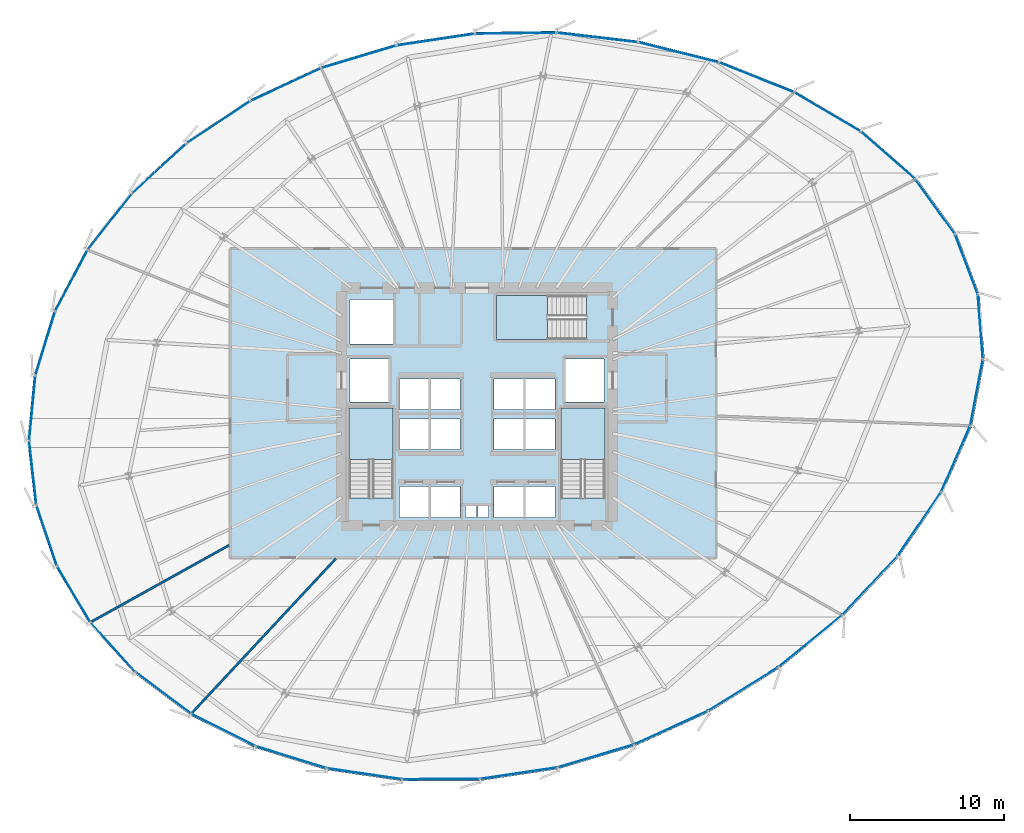
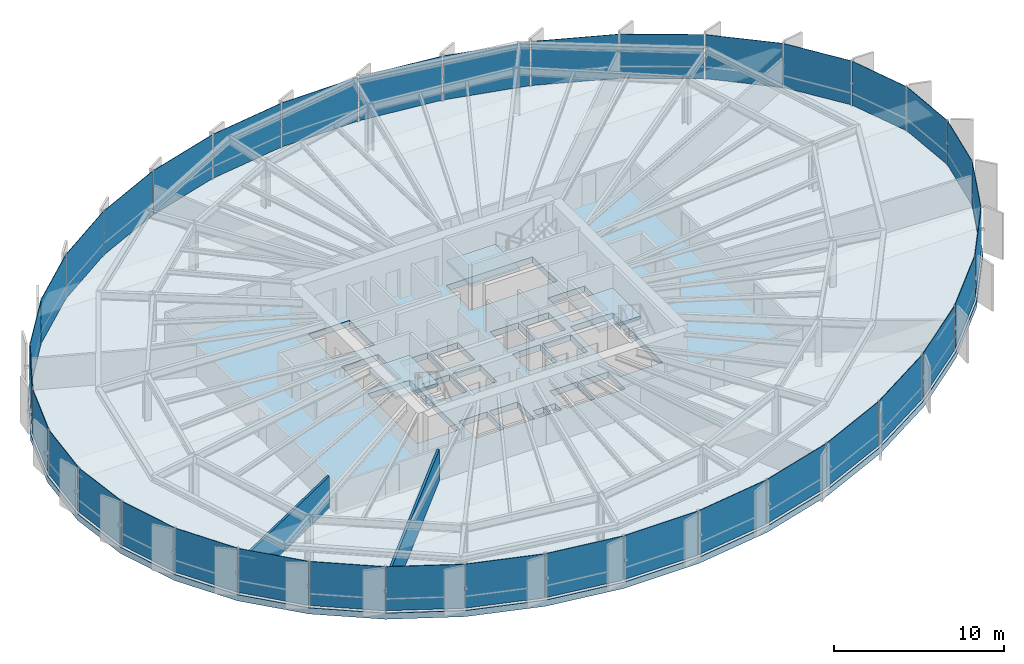
# One storey, part 28 of 35: 36 plates, 4 slabs, 2 walls, 9 elements without a shape of their own.
"""IFC4 building model written with IfcOpenShell, lengths in metres."""

from ifc_helpers import new_model, si_unit, direction, frame, frame_2d, origin, origin_2d, place, context, subcontext, project, spatial, polyline, rectangle, outline, extrude, source, transform, mapped, material, layer, layer_set, type_object, element, aggregate, save


model = new_model("IFC4")

# Units and contexts
model_context = context("Model", 3, precision=1e-05, world=origin(), true_north=direction((0.0, 1.0)))
body_context = subcontext(model_context, "Body", "Model", "MODEL_VIEW")
ifc_project = project(units=[si_unit("LENGTHUNIT", "METRE"), si_unit("AREAUNIT", "SQUARE_METRE"), si_unit("VOLUMEUNIT", "CUBIC_METRE"), si_unit("PLANEANGLEUNIT", "RADIAN"), si_unit("MASSUNIT", "GRAM", prefix="KILO"), si_unit("THERMODYNAMICTEMPERATUREUNIT", "KELVIN")], contexts=[model_context])

# Site, building, storey
site_placement = place(None, origin())
site = spatial("IfcSite", under=ifc_project, at=site_placement, CompositionType="ELEMENT")
building_placement = place(site_placement, origin())
building = spatial("IfcBuilding", under=site, at=building_placement, Name="Kethvar Cultural Tower", CompositionType="ELEMENT")
storey_placement = place(building_placement, frame((0.0, 0.0, 85.60009765625)))
storey = spatial("IfcBuildingStorey", under=building, at=storey_placement, Name="L20", CompositionType="ELEMENT", Elevation=85.60009765625)

# Stair, slab
ifc_material_1 = material(Name="Concrete C40/50", Category="concrete")
stair_type = type_object("IfcStairType", Name="ST-DOGLEG-135", PredefinedType="HALF_TURN_STAIR", material=ifc_material_1)
stair_1_placement = place(storey_placement, origin())
stair_1 = element("IfcStair", 1, at=stair_1_placement, inside=storey, type_object=stair_type, Name="L20 Core Exit Stair 1", PredefinedType="HALF_TURN_STAIR")
ifc_layer_1 = layer(ifc_material_1, 0.199951171875, Name="Concrete C40/50", Category="concrete")
ifc_layer_set_1 = layer_set([ifc_layer_1], Name="Concrete C40/50 (200 mm)")
slab_type_1 = type_object("IfcSlabType", Name="SL-STAIR-LANDING-200", PredefinedType="LANDING", material=ifc_layer_set_1)
slab_1_placement = place(storey_placement, frame((0.0, 0.0, 1.599853515625)))
slab_1 = element("IfcSlab", 2, at=slab_1_placement, type_object=slab_type_1, Name="ST-01 landing 1", PredefinedType="LANDING", context=body_context, shape_type="SweptSolid", body=[
    extrude(outline(polyline([(41.35009765625, 24.3701171875), (41.35009765625, 27.699951171875), (38.489990234375, 27.699951171875), (38.489990234375, 24.3701171875), (41.35009765625, 24.3701171875)])), origin(), (0.0, 0.0, 1.0), 0.199951171875),
])
aggregate(stair_1, [slab_1])

stair_2_placement = place(storey_placement, origin())
stair_2 = element("IfcStair", 3, at=stair_2_placement, inside=storey, type_object=stair_type, Name="L20 Core Exit Stair 2", PredefinedType="HALF_TURN_STAIR")
slab_2_placement = place(storey_placement, frame((0.0, 0.0, 1.599853515625)))
slab_2 = element("IfcSlab", 4, at=slab_2_placement, type_object=slab_type_1, Name="ST-02 landing 1", PredefinedType="LANDING", context=body_context, shape_type="SweptSolid", body=[
    extrude(outline(polyline([(55.110107421875, 24.3701171875), (55.110107421875, 27.699951171875), (52.25, 27.699951171875), (52.25, 24.3701171875), (55.110107421875, 24.3701171875)])), origin(), (0.0, 0.0, 1.0), 0.199951171875),
])
aggregate(stair_2, [slab_2])

stair_3_placement = place(storey_placement, origin())
stair_3 = element("IfcStair", 5, at=stair_3_placement, inside=storey, type_object=stair_type, Name="L20 Core Exit Stair 3", PredefinedType="HALF_TURN_STAIR")
slab_3_placement = place(storey_placement, frame((0.0, 0.0, 1.599853515625)))
slab_3 = element("IfcSlab", 6, at=slab_3_placement, type_object=slab_type_1, Name="ST-03 landing 1", PredefinedType="LANDING", context=body_context, shape_type="SweptSolid", body=[
    extrude(outline(polyline([(51.3798828125, 35.010009765625), (48.050048828125, 35.010009765625), (48.050048828125, 32.14990234375), (51.3798828125, 32.14990234375), (51.3798828125, 35.010009765625)])), origin(), (0.0, 0.0, 1.0), 0.199951171875),
])
aggregate(stair_3, [slab_3])

# Slab
ifc_material_2 = material(Name="Concrete C50/60", Category="concrete")
ifc_layer_2 = layer(ifc_material_2, 0.43994140625, Name="Concrete C50/60", Category="concrete")
ifc_layer_set_2 = layer_set([ifc_layer_2], Name="Concrete C50/60 (440 mm)")
slab_type_2 = type_object("IfcSlabType", Name="SL-TRANS-440", PredefinedType="FLOOR", material=ifc_layer_set_2)
slab_4_placement = place(storey_placement, frame((0.0, 0.0, -0.440185546875)))
element("IfcSlab", 7, at=slab_4_placement, inside=storey, type_object=slab_type_2, Name="L20 Structural Floor Slab", PredefinedType="FLOOR", context=body_context, shape_type="SweptSolid", body=[
    extrude(outline(polyline([(79.417236328125, 35.0908203125), (77.9208984375, 39.048095703125), (75.323974609375, 42.62890625), (71.760498046875, 45.73681640625), (67.418701171875, 48.295166015625), (62.519287109375, 50.246337890625), (57.290283203125, 51.548583984375), (51.943603515625, 52.174072265625), (46.653564453125, 52.106689453125), (41.53857421875, 51.338623046875), (36.63232421875, 49.86669921875), (32.03515625, 47.72412109375), (27.88671875, 44.97607421875), (24.312744140625, 41.7060546875), (21.422119140625, 38.013671875), (19.302490234375, 34.010986328125), (18.0185546875, 29.819580078125), (17.60888671875, 25.566650390625), (18.08642578125, 21.381591796875), (19.436279296875, 17.391845703125), (21.61767578125, 13.718017578125), (24.56396484375, 10.472412109375), (28.18603515625, 7.7529296875), (32.373779296875, 5.642578125), (36.999755859375, 4.205810546875), (41.923583984375, 3.485595703125), (46.99560546875, 3.50439453125), (52.0615234375, 4.26123046875), (57.0166015625, 5.744384765625), (61.831787109375, 7.935791015625), (66.403564453125, 10.7783203125), (70.58056640625, 14.182861328125), (74.182861328125, 18.034423828125), (77.022216796875, 22.197998046875), (78.923095703125, 26.52734375), (79.748291015625, 30.873046875), (79.417236328125, 35.0908203125)]), holes=[polyline([(38.489990234375, 21.85009765625), (38.489990234375, 27.699951171875), (41.35009765625, 27.699951171875), (41.35009765625, 21.85009765625), (38.489990234375, 21.85009765625)]), polyline([(52.25, 21.85009765625), (52.25, 27.699951171875), (55.110107421875, 27.699951171875), (55.110107421875, 21.85009765625), (52.25, 21.85009765625)]), polyline([(53.89990234375, 32.14990234375), (48.050048828125, 32.14990234375), (48.050048828125, 35.010009765625), (53.89990234375, 35.010009765625), (53.89990234375, 32.14990234375)]), polyline([(41.75, 22.60009765625), (43.64990234375, 22.60009765625), (43.64990234375, 20.60009765625), (41.75, 20.60009765625), (41.75, 22.60009765625)]), polyline([(43.800048828125, 22.60009765625), (45.699951171875, 22.60009765625), (45.699951171875, 20.60009765625), (43.800048828125, 20.60009765625), (43.800048828125, 22.60009765625)]), polyline([(47.89990234375, 22.60009765625), (49.800048828125, 22.60009765625), (49.800048828125, 20.60009765625), (47.89990234375, 20.60009765625), (47.89990234375, 22.60009765625)]), polyline([(49.949951171875, 22.60009765625), (51.85009765625, 22.60009765625), (51.85009765625, 20.60009765625), (49.949951171875, 20.60009765625), (49.949951171875, 22.60009765625)]), polyline([(41.75, 27.0), (43.64990234375, 27.0), (43.64990234375, 25.0), (41.75, 25.0), (41.75, 27.0)]), polyline([(43.800048828125, 27.0), (45.699951171875, 27.0), (45.699951171875, 25.0), (43.800048828125, 25.0), (43.800048828125, 27.0)]), polyline([(47.89990234375, 27.0), (49.800048828125, 27.0), (49.800048828125, 25.0), (47.89990234375, 25.0), (47.89990234375, 27.0)]), polyline([(49.949951171875, 27.0), (51.85009765625, 27.0), (51.85009765625, 25.0), (49.949951171875, 25.0), (49.949951171875, 27.0)]), polyline([(41.75, 29.60009765625), (43.64990234375, 29.60009765625), (43.64990234375, 27.60009765625), (41.75, 27.60009765625), (41.75, 29.60009765625)]), polyline([(43.800048828125, 29.60009765625), (45.699951171875, 29.60009765625), (45.699951171875, 27.60009765625), (43.800048828125, 27.60009765625), (43.800048828125, 29.60009765625)]), polyline([(47.89990234375, 29.60009765625), (49.800048828125, 29.60009765625), (49.800048828125, 27.60009765625), (47.89990234375, 27.60009765625), (47.89990234375, 29.60009765625)]), polyline([(49.949951171875, 29.60009765625), (51.85009765625, 29.60009765625), (51.85009765625, 27.60009765625), (49.949951171875, 27.60009765625), (49.949951171875, 29.60009765625)]), polyline([(38.550048828125, 30.89990234375), (41.050048828125, 30.89990234375), (41.050048828125, 28.10009765625), (38.550048828125, 28.10009765625), (38.550048828125, 30.89990234375)]), polyline([(52.550048828125, 30.89990234375), (55.050048828125, 30.89990234375), (55.050048828125, 28.10009765625), (52.550048828125, 28.10009765625), (52.550048828125, 30.89990234375)]), polyline([(38.550048828125, 34.75), (41.35009765625, 34.75), (41.35009765625, 31.85009765625), (38.550048828125, 31.85009765625), (38.550048828125, 34.75)]), polyline([(46.050048828125, 21.35009765625), (46.75, 21.35009765625), (46.75, 20.60009765625), (46.050048828125, 20.60009765625), (46.050048828125, 21.35009765625)]), polyline([(46.85009765625, 21.35009765625), (47.550048828125, 21.35009765625), (47.550048828125, 20.60009765625), (46.85009765625, 20.60009765625), (46.85009765625, 21.35009765625)])]), origin(), (0.0, 0.0, 1.0), 0.440185546875),
])

# Curtain wall, plate
ifc_material_3 = material(Name="Aluminium 6063-T6", Category="aluminium")
ifc_layer_3 = layer(ifc_material_3, 0.179931640625, Name="Aluminium 6063-T6", Category="aluminium")
ifc_layer_set_3 = layer_set([ifc_layer_3], Name="Aluminium 6063-T6 (180 mm)")
curtain_wall_type = type_object("IfcCurtainWallType", Name="CW-SYS-03-Z2", PredefinedType="NOTDEFINED", material=ifc_layer_set_3)
curtain_wall_1_placement = place(storey_placement, origin())
curtain_wall_1 = element("IfcCurtainWall", 8, at=curtain_wall_1_placement, inside=storey, type_object=curtain_wall_type, Name="L20 Curtain Wall Run 01", PredefinedType="NOTDEFINED")
ifc_material_4 = material(Name="Insulated Low-E Solar Glass", Category="glass")
ifc_layer_4 = layer(ifc_material_4, 0.031982421875, Name="Insulated Low-E Solar Glass", Category="glass")
ifc_layer_set_4 = layer_set([ifc_layer_4], Name="Insulated Low-E Solar Glass (32 mm)")
plate_type = type_object("IfcPlateType", Name="CW-SYS-03-Z2-PNL", PredefinedType="CURTAIN_PANEL", material=ifc_layer_set_4)
shared_shape_1 = source(origin(), body_context, "Body", "SweptSolid", [
    extrude(rectangle(XDim=4.144287109375, YDim=0.031982421875, at=origin_2d()), origin(), (0.0, 0.0, 1.0), 3.14990234375),
])
plate_1_placement = place(storey_placement, frame((78.5615234375, 37.02880859375, 0.099853515625), z_axis=(0.0, 0.0, 1.0), x_axis=(-0.353719730338, 0.935351459276, 0.0)))
plate_1 = element("IfcPlate", 9, at=plate_1_placement, type_object=plate_type, Name="CW-L20-R01 Vision Glazing Panel 1", PredefinedType="CURTAIN_PANEL", context=body_context, shape_type="MappedRepresentation", body=[
    mapped(shared_shape_1, transform((0.0, 0.0, 0.0), scale=1.0)),
])

curtain_wall_2_placement = place(storey_placement, origin())
curtain_wall_2 = element("IfcCurtainWall", 10, at=curtain_wall_2_placement, inside=storey, type_object=curtain_wall_type, Name="L20 Curtain Wall Run 06", PredefinedType="NOTDEFINED")
plate_2_placement = place(storey_placement, frame((79.468017578125, 32.972900390625, 0.099853515625), z_axis=(0.0, 0.0, 1.0), x_axis=(-0.07821550053, 0.996936475146, 0.0)))
plate_2 = element("IfcPlate", 11, at=plate_2_placement, type_object=plate_type, Name="CW-L20-R06 Vision Glazing Panel 6", PredefinedType="CURTAIN_PANEL", context=body_context, shape_type="MappedRepresentation", body=[
    mapped(shared_shape_1, transform((0.0, 0.0, 0.0), scale=1.0)),
])

# Plate
shared_shape_2 = source(origin(), body_context, "Body", "SweptSolid", [
    extrude(rectangle(XDim=4.3369140625, YDim=0.031982421875, at=origin_2d()), origin(), (0.0, 0.0, 1.0), 3.14990234375),
])
plate_3_placement = place(storey_placement, frame((76.529296875, 40.77099609375, 0.099853515625), z_axis=(0.0, 0.0, 1.0), x_axis=(-0.587093156925, 0.809519379071, 0.0)))
plate_3 = element("IfcPlate", 12, at=plate_3_placement, type_object=plate_type, Name="CW-L20-R01 Vision Glazing Panel 2", PredefinedType="CURTAIN_PANEL", context=body_context, shape_type="MappedRepresentation", body=[
    mapped(shared_shape_2, transform((0.0, 0.0, 0.0), scale=1.0)),
])

plate_4_placement = place(storey_placement, frame((79.22265625, 28.7216796875, 0.099853515625), z_axis=(0.0, 0.0, 1.0), x_axis=(0.186558329883, 0.98244388621, 0.0)))
plate_4 = element("IfcPlate", 13, at=plate_4_placement, type_object=plate_type, Name="CW-L20-R06 Vision Glazing Panel 5", PredefinedType="CURTAIN_PANEL", context=body_context, shape_type="MappedRepresentation", body=[
    mapped(shared_shape_2, transform((0.0, 0.0, 0.0), scale=1.0)),
])

shared_shape_3 = source(origin(), body_context, "Body", "SweptSolid", [
    extrude(rectangle(XDim=4.641845703125, YDim=0.031982421875, at=origin_2d()), origin(), (0.0, 0.0, 1.0), 3.14990234375),
])
plate_5_placement = place(storey_placement, frame((73.466796875, 44.09619140625, 0.099853515625), z_axis=(0.0, 0.0, 1.0), x_axis=(-0.753620756245, 0.657309482479, 0.0)))
plate_5 = element("IfcPlate", 14, at=plate_5_placement, type_object=plate_type, Name="CW-L20-R01 Vision Glazing Panel 3", PredefinedType="CURTAIN_PANEL", context=body_context, shape_type="MappedRepresentation", body=[
    mapped(shared_shape_3, transform((0.0, 0.0, 0.0), scale=1.0)),
])

plate_6_placement = place(storey_placement, frame((77.8671875, 24.408935546875, 0.099853515625), z_axis=(0.0, 0.0, 1.0), x_axis=(0.402027681761, 0.915627513292, 0.0)))
plate_6 = element("IfcPlate", 15, at=plate_6_placement, type_object=plate_type, Name="CW-L20-R06 Vision Glazing Panel 4", PredefinedType="CURTAIN_PANEL", context=body_context, shape_type="MappedRepresentation", body=[
    mapped(shared_shape_3, transform((0.0, 0.0, 0.0), scale=1.0)),
])

shared_shape_4 = source(origin(), body_context, "Body", "SweptSolid", [
    extrude(rectangle(XDim=4.953125, YDim=0.031982421875, at=origin_2d()), origin(), (0.0, 0.0, 1.0), 3.14990234375),
])
plate_7_placement = place(storey_placement, frame((69.53125, 46.9169921875, 0.099853515625), z_axis=(0.0, 0.0, 1.0), x_axis=(-0.861540565163, 0.507688737887, 0.0)))
plate_7 = element("IfcPlate", 16, at=plate_7_placement, type_object=plate_type, Name="CW-L20-R01 Vision Glazing Panel 4", PredefinedType="CURTAIN_PANEL", context=body_context, shape_type="MappedRepresentation", body=[
    mapped(shared_shape_4, transform((0.0, 0.0, 0.0), scale=1.0)),
])

plate_8_placement = place(storey_placement, frame((75.507568359375, 20.180908203125, 0.099853515625), z_axis=(0.0, 0.0, 1.0), x_axis=(0.563381859003, 0.826196635763, 0.0)))
plate_8 = element("IfcPlate", 17, at=plate_8_placement, type_object=plate_type, Name="CW-L20-R06 Vision Glazing Panel 3", PredefinedType="CURTAIN_PANEL", context=body_context, shape_type="MappedRepresentation", body=[
    mapped(shared_shape_4, transform((0.0, 0.0, 0.0), scale=1.0)),
])

shared_shape_5 = source(origin(), body_context, "Body", "SweptSolid", [
    extrude(rectangle(XDim=5.187255859375, YDim=0.031982421875, at=origin_2d()), origin(), (0.0, 0.0, 1.0), 3.14990234375),
])
plate_9_placement = place(storey_placement, frame((64.926513671875, 49.163818359375, 0.099853515625), z_axis=(0.0, 0.0, 1.0), x_axis=(-0.929042197622, 0.36997377615, 0.0)))
plate_9 = element("IfcPlate", 18, at=plate_9_placement, type_object=plate_type, Name="CW-L20-R01 Vision Glazing Panel 5", PredefinedType="CURTAIN_PANEL", context=body_context, shape_type="MappedRepresentation", body=[
    mapped(shared_shape_5, transform((0.0, 0.0, 0.0), scale=1.0)),
])

plate_10_placement = place(storey_placement, frame((72.297607421875, 16.187255859375, 0.099853515625), z_axis=(0.0, 0.0, 1.0), x_axis=(0.683095340984, 0.730329210101, 0.0)))
plate_10 = element("IfcPlate", 19, at=plate_10_placement, type_object=plate_type, Name="CW-L20-R06 Vision Glazing Panel 2", PredefinedType="CURTAIN_PANEL", context=body_context, shape_type="MappedRepresentation", body=[
    mapped(shared_shape_5, transform((0.0, 0.0, 0.0), scale=1.0)),
])

shared_shape_6 = source(origin(), body_context, "Body", "SweptSolid", [
    extrude(rectangle(XDim=5.302490234375, YDim=0.031982421875, at=origin_2d()), origin(), (0.0, 0.0, 1.0), 3.14990234375),
])
plate_11_placement = place(storey_placement, frame((59.876953125, 50.785888671875, 0.099853515625), z_axis=(0.0, 0.0, 1.0), x_axis=(-0.97036324578, 0.241650928488, 0.0)))
plate_11 = element("IfcPlate", 20, at=plate_11_placement, type_object=plate_type, Name="CW-L20-R01 Vision Glazing Panel 6", PredefinedType="CURTAIN_PANEL", context=body_context, shape_type="MappedRepresentation", body=[
    mapped(shared_shape_6, transform((0.0, 0.0, 0.0), scale=1.0)),
])

aggregate(curtain_wall_1, [plate_1, plate_3, plate_5, plate_7, plate_9, plate_11])

plate_12_placement = place(storey_placement, frame((68.41943359375, 12.569580078125, 0.099853515625), z_axis=(0.0, 0.0, 1.0), x_axis=(0.77513198146, 0.63179934419, 0.0)))
plate_12 = element("IfcPlate", 21, at=plate_12_placement, type_object=plate_type, Name="CW-L20-R06 Vision Glazing Panel 1", PredefinedType="CURTAIN_PANEL", context=body_context, shape_type="MappedRepresentation", body=[
    mapped(shared_shape_6, transform((0.0, 0.0, 0.0), scale=1.0)),
])

aggregate(curtain_wall_2, [plate_12, plate_10, plate_8, plate_6, plate_4, plate_2])

# Curtain wall, plate
curtain_wall_3_placement = place(storey_placement, origin())
curtain_wall_3 = element("IfcCurtainWall", 22, at=curtain_wall_3_placement, inside=storey, type_object=curtain_wall_type, Name="L20 Curtain Wall Run 02", PredefinedType="NOTDEFINED")
shared_shape_7 = source(origin(), body_context, "Body", "SweptSolid", [
    extrude(rectangle(XDim=5.296875, YDim=0.031982421875, at=origin_2d()), origin(), (0.0, 0.0, 1.0), 3.14990234375),
])
plate_13_placement = place(storey_placement, frame((54.603515625, 51.7470703125, 0.099853515625), z_axis=(0.0, 0.0, 1.0), x_axis=(-0.99322754702, 0.116185368447, 0.0)))
plate_13 = element("IfcPlate", 23, at=plate_13_placement, type_object=plate_type, Name="CW-L20-R02 Vision Glazing Panel 1", PredefinedType="CURTAIN_PANEL", context=body_context, shape_type="MappedRepresentation", body=[
    mapped(shared_shape_7, transform((0.0, 0.0, 0.0), scale=1.0)),
])

curtain_wall_4_placement = place(storey_placement, origin())
curtain_wall_4 = element("IfcCurtainWall", 24, at=curtain_wall_4_placement, inside=storey, type_object=curtain_wall_type, Name="L20 Curtain Wall Run 05", PredefinedType="NOTDEFINED")
plate_14_placement = place(storey_placement, frame((64.056884765625, 9.45458984375, 0.099853515625), z_axis=(0.0, 0.0, 1.0), x_axis=(0.849220614055, 0.52803820758, 0.0)))
plate_14 = element("IfcPlate", 25, at=plate_14_placement, type_object=plate_type, Name="CW-L20-R05 Vision Glazing Panel 6", PredefinedType="CURTAIN_PANEL", context=body_context, shape_type="MappedRepresentation", body=[
    mapped(shared_shape_7, transform((0.0, 0.0, 0.0), scale=1.0)),
])

# Plate
shared_shape_8 = source(origin(), body_context, "Body", "SweptSolid", [
    extrude(rectangle(XDim=5.2041015625, YDim=0.031982421875, at=origin_2d()), origin(), (0.0, 0.0, 1.0), 3.14990234375),
])
plate_15_placement = place(storey_placement, frame((49.300048828125, 52.025390625, 0.099853515625), z_axis=(0.0, 0.0, 1.0), x_axis=(-0.999918835786, -0.012740558836, 0.0)))
plate_15 = element("IfcPlate", 26, at=plate_15_placement, type_object=plate_type, Name="CW-L20-R02 Vision Glazing Panel 2", PredefinedType="CURTAIN_PANEL", context=body_context, shape_type="MappedRepresentation", body=[
    mapped(shared_shape_8, transform((0.0, 0.0, 0.0), scale=1.0)),
])

shared_shape_9 = source(origin(), body_context, "Body", "SweptSolid", [
    extrude(rectangle(XDim=5.0859375, YDim=0.031982421875, at=origin_2d()), origin(), (0.0, 0.0, 1.0), 3.14990234375),
])
plate_16_placement = place(storey_placement, frame((44.113037109375, 51.60888671875, 0.099853515625), z_axis=(0.0, 0.0, 1.0), x_axis=(-0.988917614937, -0.148465318734, 0.0)))
plate_16 = element("IfcPlate", 27, at=plate_16_placement, type_object=plate_type, Name="CW-L20-R02 Vision Glazing Panel 3", PredefinedType="CURTAIN_PANEL", context=body_context, shape_type="MappedRepresentation", body=[
    mapped(shared_shape_9, transform((0.0, 0.0, 0.0), scale=1.0)),
])

plate_17_placement = place(storey_placement, frame((54.506103515625, 5.113037109375, 0.099853515625), z_axis=(0.0, 0.0, 1.0), x_axis=(0.958007864443, 0.286741925196, 0.0)))
plate_17 = element("IfcPlate", 28, at=plate_17_placement, type_object=plate_type, Name="CW-L20-R05 Vision Glazing Panel 4", PredefinedType="CURTAIN_PANEL", context=body_context, shape_type="MappedRepresentation", body=[
    mapped(shared_shape_9, transform((0.0, 0.0, 0.0), scale=1.0)),
])

shared_shape_10 = source(origin(), body_context, "Body", "SweptSolid", [
    extrude(rectangle(XDim=5.035888671875, YDim=0.031982421875, at=origin_2d()), origin(), (0.0, 0.0, 1.0), 3.14990234375),
])
plate_18_placement = place(storey_placement, frame((39.118408203125, 50.492431640625, 0.099853515625), z_axis=(0.0, 0.0, 1.0), x_axis=(-0.957812463487, -0.287393953987, 0.0)))
plate_18 = element("IfcPlate", 29, at=plate_18_placement, type_object=plate_type, Name="CW-L20-R02 Vision Glazing Panel 4", PredefinedType="CURTAIN_PANEL", context=body_context, shape_type="MappedRepresentation", body=[
    mapped(shared_shape_10, transform((0.0, 0.0, 0.0), scale=1.0)),
])

plate_19_placement = place(storey_placement, frame((49.511474609375, 3.99658203125, 0.099853515625), z_axis=(0.0, 0.0, 1.0), x_axis=(0.989021022281, 0.147774887873, 0.0)))
plate_19 = element("IfcPlate", 30, at=plate_19_placement, type_object=plate_type, Name="CW-L20-R05 Vision Glazing Panel 3", PredefinedType="CURTAIN_PANEL", context=body_context, shape_type="MappedRepresentation", body=[
    mapped(shared_shape_10, transform((0.0, 0.0, 0.0), scale=1.0)),
])

shared_shape_11 = source(origin(), body_context, "Body", "SweptSolid", [
    extrude(rectangle(XDim=4.985595703125, YDim=0.031982421875, at=origin_2d()), origin(), (0.0, 0.0, 1.0), 3.14990234375),
])
plate_20_placement = place(storey_placement, frame((34.382080078125, 48.691162109375, 0.099853515625), z_axis=(0.0, 0.0, 1.0), x_axis=(-0.906388907215, -0.422444255349, 0.0)))
plate_20 = element("IfcPlate", 31, at=plate_20_placement, type_object=plate_type, Name="CW-L20-R02 Vision Glazing Panel 5", PredefinedType="CURTAIN_PANEL", context=body_context, shape_type="MappedRepresentation", body=[
    mapped(shared_shape_11, transform((0.0, 0.0, 0.0), scale=1.0)),
])

plate_21_placement = place(storey_placement, frame((44.459228515625, 3.610107421875, 0.099853515625), z_axis=(0.0, 0.0, 1.0), x_axis=(0.999993219072, 0.003682636398, 0.0)))
plate_21 = element("IfcPlate", 32, at=plate_21_placement, type_object=plate_type, Name="CW-L20-R05 Vision Glazing Panel 2", PredefinedType="CURTAIN_PANEL", context=body_context, shape_type="MappedRepresentation", body=[
    mapped(shared_shape_11, transform((0.0, 0.0, 0.0), scale=1.0)),
])

shared_shape_12 = source(origin(), body_context, "Body", "SweptSolid", [
    extrude(rectangle(XDim=4.8896484375, YDim=0.031982421875, at=origin_2d()), origin(), (0.0, 0.0, 1.0), 3.14990234375),
])
plate_22_placement = place(storey_placement, frame((30.0244140625, 46.254150390625, 0.099853515625), z_axis=(0.0, 0.0, 1.0), x_axis=(-0.83368347059, -0.552242583349, 0.0)))
plate_22 = element("IfcPlate", 33, at=plate_22_placement, type_object=plate_type, Name="CW-L20-R02 Vision Glazing Panel 6", PredefinedType="CURTAIN_PANEL", context=body_context, shape_type="MappedRepresentation", body=[
    mapped(shared_shape_12, transform((0.0, 0.0, 0.0), scale=1.0)),
])

aggregate(curtain_wall_3, [plate_13, plate_15, plate_16, plate_18, plate_20, plate_22])

# Curtain wall, plate
curtain_wall_5_placement = place(storey_placement, origin())
curtain_wall_5 = element("IfcCurtainWall", 34, at=curtain_wall_5_placement, inside=storey, type_object=curtain_wall_type, Name="L20 Curtain Wall Run 03", PredefinedType="NOTDEFINED")
shared_shape_13 = source(origin(), body_context, "Body", "SweptSolid", [
    extrude(rectangle(XDim=4.7578125, YDim=0.031982421875, at=origin_2d()), origin(), (0.0, 0.0, 1.0), 3.14990234375),
])
plate_23_placement = place(storey_placement, frame((26.17724609375, 43.256103515625, 0.099853515625), z_axis=(0.0, 0.0, 1.0), x_axis=(-0.737784153893, -0.675036696977, 0.0)))
plate_23 = element("IfcPlate", 35, at=plate_23_placement, type_object=plate_type, Name="CW-L20-R03 Vision Glazing Panel 1", PredefinedType="CURTAIN_PANEL", context=body_context, shape_type="MappedRepresentation", body=[
    mapped(shared_shape_13, transform((0.0, 0.0, 0.0), scale=1.0)),
])

curtain_wall_6_placement = place(storey_placement, origin())
curtain_wall_6 = element("IfcCurtainWall", 36, at=curtain_wall_6_placement, inside=storey, type_object=curtain_wall_type, Name="L20 Curtain Wall Run 04", PredefinedType="NOTDEFINED")
plate_24_placement = place(storey_placement, frame((34.720947265625, 5.033935546875, 0.099853515625), z_axis=(0.0, 0.0, 1.0), x_axis=(0.954983707942, -0.296658250459, 0.0)))
plate_24 = element("IfcPlate", 37, at=plate_24_placement, type_object=plate_type, Name="CW-L20-R04 Vision Glazing Panel 6", PredefinedType="CURTAIN_PANEL", context=body_context, shape_type="MappedRepresentation", body=[
    mapped(shared_shape_13, transform((0.0, 0.0, 0.0), scale=1.0)),
])

# Plate
shared_shape_14 = source(origin(), body_context, "Body", "SweptSolid", [
    extrude(rectangle(XDim=4.602783203125, YDim=0.031982421875, at=origin_2d()), origin(), (0.0, 0.0, 1.0), 3.14990234375),
])
plate_25_placement = place(storey_placement, frame((22.9580078125, 39.7890625, 0.099853515625), z_axis=(0.0, 0.0, 1.0), x_axis=(-0.616445113321, -0.78739788053, 0.0)))
plate_25 = element("IfcPlate", 38, at=plate_25_placement, type_object=plate_type, Name="CW-L20-R03 Vision Glazing Panel 2", PredefinedType="CURTAIN_PANEL", context=body_context, shape_type="MappedRepresentation", body=[
    mapped(shared_shape_14, transform((0.0, 0.0, 0.0), scale=1.0)),
])

shared_shape_15 = source(origin(), body_context, "Body", "SweptSolid", [
    extrude(rectangle(XDim=4.44287109375, YDim=0.031982421875, at=origin_2d()), origin(), (0.0, 0.0, 1.0), 3.14990234375),
])
plate_26_placement = place(storey_placement, frame((20.4638671875, 35.95849609375, 0.099853515625), z_axis=(0.0, 0.0, 1.0), x_axis=(-0.467960663216, -0.883749295718, 0.0)))
plate_26 = element("IfcPlate", 39, at=plate_26_placement, type_object=plate_type, Name="CW-L20-R03 Vision Glazing Panel 3", PredefinedType="CURTAIN_PANEL", context=body_context, shape_type="MappedRepresentation", body=[
    mapped(shared_shape_15, transform((0.0, 0.0, 0.0), scale=1.0)),
])

plate_27_placement = place(storey_placement, frame((26.444091796875, 9.20458984375, 0.099853515625), z_axis=(0.0, 0.0, 1.0), x_axis=(0.79970561662, -0.6003923107, 0.0)))
plate_27 = element("IfcPlate", 40, at=plate_27_placement, type_object=plate_type, Name="CW-L20-R04 Vision Glazing Panel 4", PredefinedType="CURTAIN_PANEL", context=body_context, shape_type="MappedRepresentation", body=[
    mapped(shared_shape_15, transform((0.0, 0.0, 0.0), scale=1.0)),
])

shared_shape_16 = source(origin(), body_context, "Body", "SweptSolid", [
    extrude(rectangle(XDim=4.29736328125, YDim=0.031982421875, at=origin_2d()), origin(), (0.0, 0.0, 1.0), 3.14990234375),
])
plate_28_placement = place(storey_placement, frame((18.7705078125, 31.881591796875, 0.099853515625), z_axis=(0.0, 0.0, 1.0), x_axis=(-0.292905760428, -0.956141315658, 0.0)))
plate_28 = element("IfcPlate", 41, at=plate_28_placement, type_object=plate_type, Name="CW-L20-R03 Vision Glazing Panel 4", PredefinedType="CURTAIN_PANEL", context=body_context, shape_type="MappedRepresentation", body=[
    mapped(shared_shape_16, transform((0.0, 0.0, 0.0), scale=1.0)),
])

shared_shape_17 = source(origin(), body_context, "Body", "SweptSolid", [
    extrude(rectangle(XDim=4.18603515625, YDim=0.031982421875, at=origin_2d()), origin(), (0.0, 0.0, 1.0), 3.14990234375),
])
plate_29_placement = place(storey_placement, frame((17.927978515625, 27.68212890625, 0.099853515625), z_axis=(0.0, 0.0, 1.0), x_axis=(-0.095863125447, -0.995394525392, 0.0)))
plate_29 = element("IfcPlate", 42, at=plate_29_placement, type_object=plate_type, Name="CW-L20-R03 Vision Glazing Panel 5", PredefinedType="CURTAIN_PANEL", context=body_context, shape_type="MappedRepresentation", body=[
    mapped(shared_shape_17, transform((0.0, 0.0, 0.0), scale=1.0)),
])

plate_30_placement = place(storey_placement, frame((20.625732421875, 15.61376953125, 0.099853515625), z_axis=(0.0, 0.0, 1.0), x_axis=(0.510557925087, -0.859843360811, 0.0)))
plate_30 = element("IfcPlate", 43, at=plate_30_placement, type_object=plate_type, Name="CW-L20-R04 Vision Glazing Panel 2", PredefinedType="CURTAIN_PANEL", context=body_context, shape_type="MappedRepresentation", body=[
    mapped(shared_shape_17, transform((0.0, 0.0, 0.0), scale=1.0)),
])

shared_shape_18 = source(origin(), body_context, "Body", "SweptSolid", [
    extrude(rectangle(XDim=4.125732421875, YDim=0.031982421875, at=origin_2d()), origin(), (0.0, 0.0, 1.0), 3.14990234375),
])
plate_31_placement = place(storey_placement, frame((17.9619140625, 23.4873046875, 0.099853515625), z_axis=(0.0, 0.0, 1.0), x_axis=(0.113359282273, -0.9935540615, 0.0)))
plate_31 = element("IfcPlate", 44, at=plate_31_placement, type_object=plate_type, Name="CW-L20-R03 Vision Glazing Panel 6", PredefinedType="CURTAIN_PANEL", context=body_context, shape_type="MappedRepresentation", body=[
    mapped(shared_shape_18, transform((0.0, 0.0, 0.0), scale=1.0)),
])

aggregate(curtain_wall_5, [plate_23, plate_25, plate_26, plate_28, plate_29, plate_31])

shared_shape_19 = source(origin(), body_context, "Body", "SweptSolid", [
    extrude(rectangle(XDim=4.12548828125, YDim=0.031982421875, at=origin_2d()), origin(), (0.0, 0.0, 1.0), 3.14990234375),
])
plate_32_placement = place(storey_placement, frame((18.8701171875, 19.423583984375, 0.099853515625), z_axis=(0.0, 0.0, 1.0), x_axis=(0.320464199188, -0.947260627831, 0.0)))
plate_32 = element("IfcPlate", 45, at=plate_32_placement, type_object=plate_type, Name="CW-L20-R04 Vision Glazing Panel 1", PredefinedType="CURTAIN_PANEL", context=body_context, shape_type="MappedRepresentation", body=[
    mapped(shared_shape_19, transform((0.0, 0.0, 0.0), scale=1.0)),
])

shared_shape_20 = source(origin(), body_context, "Body", "SweptSolid", [
    extrude(rectangle(XDim=4.297119140625, YDim=0.031982421875, at=origin_2d()), origin(), (0.0, 0.0, 1.0), 3.14990234375),
])
plate_33_placement = place(storey_placement, frame((23.176025390625, 12.172607421875, 0.099853515625), z_axis=(0.0, 0.0, 1.0), x_axis=(0.672134227875, -0.740429321217, 0.0)))
plate_33 = element("IfcPlate", 46, at=plate_33_placement, type_object=plate_type, Name="CW-L20-R04 Vision Glazing Panel 3", PredefinedType="CURTAIN_PANEL", context=body_context, shape_type="MappedRepresentation", body=[
    mapped(shared_shape_20, transform((0.0, 0.0, 0.0), scale=1.0)),
])

shared_shape_21 = source(origin(), body_context, "Body", "SweptSolid", [
    extrude(rectangle(XDim=4.60302734375, YDim=0.031982421875, at=origin_2d()), origin(), (0.0, 0.0, 1.0), 3.14990234375),
])
plate_34_placement = place(storey_placement, frame((30.331787109375, 6.800537109375, 0.099853515625), z_axis=(0.0, 0.0, 1.0), x_axis=(0.893026072713, -0.450004926033, 0.0)))
plate_34 = element("IfcPlate", 47, at=plate_34_placement, type_object=plate_type, Name="CW-L20-R04 Vision Glazing Panel 5", PredefinedType="CURTAIN_PANEL", context=body_context, shape_type="MappedRepresentation", body=[
    mapped(shared_shape_21, transform((0.0, 0.0, 0.0), scale=1.0)),
])

aggregate(curtain_wall_6, [plate_32, plate_30, plate_33, plate_27, plate_34, plate_24])

shared_shape_22 = source(origin(), body_context, "Body", "SweptSolid", [
    extrude(rectangle(XDim=4.889892578125, YDim=0.031982421875, at=origin_2d()), origin(), (0.0, 0.0, 1.0), 3.14990234375),
])
plate_35_placement = place(storey_placement, frame((39.478271484375, 3.95947265625, 0.099853515625), z_axis=(0.0, 0.0, 1.0), x_axis=(0.989477864333, -0.144684332236, 0.0)))
plate_35 = element("IfcPlate", 48, at=plate_35_placement, type_object=plate_type, Name="CW-L20-R05 Vision Glazing Panel 1", PredefinedType="CURTAIN_PANEL", context=body_context, shape_type="MappedRepresentation", body=[
    mapped(shared_shape_22, transform((0.0, 0.0, 0.0), scale=1.0)),
])

shared_shape_23 = source(origin(), body_context, "Body", "SweptSolid", [
    extrude(rectangle(XDim=5.203857421875, YDim=0.031982421875, at=origin_2d()), origin(), (0.0, 0.0, 1.0), 3.14990234375),
])
plate_36_placement = place(storey_placement, frame((59.376708984375, 6.94482421875, 0.099853515625), z_axis=(0.0, 0.0, 1.0), x_axis=(0.910185508312, 0.414200845555, 0.0)))
plate_36 = element("IfcPlate", 49, at=plate_36_placement, type_object=plate_type, Name="CW-L20-R05 Vision Glazing Panel 5", PredefinedType="CURTAIN_PANEL", context=body_context, shape_type="MappedRepresentation", body=[
    mapped(shared_shape_23, transform((0.0, 0.0, 0.0), scale=1.0)),
])

aggregate(curtain_wall_4, [plate_35, plate_21, plate_19, plate_17, plate_36, plate_14])

# Walls
ifc_material_5 = material(Name="Gypsum Acoustic Partition")
ifc_layer_5 = layer(ifc_material_5, 0.14990234375, Name="Gypsum Acoustic Partition")
ifc_layer_set_5 = layer_set([ifc_layer_5], Name="Gypsum Acoustic Partition (150 mm)")
wall_type = type_object("IfcWallType", Name="WL-PART-150", PredefinedType="PARTITIONING", material=ifc_layer_set_5)
wall_1_placement = place(storey_placement, frame((30.7001953125, 18.797119140625, 0.0), z_axis=(0.0, 0.0, 1.0), x_axis=(-0.874030662719, -0.485870765355, 0.0)))
element("IfcWall", 50, at=wall_1_placement, inside=storey, type_object=wall_type, Name="L20 Radial Partition Wall 01", PredefinedType="PARTITIONING", context=body_context, shape_type="SweptSolid", body=[
    extrude(rectangle(XDim=10.189208984375, YDim=0.14990234375, at=frame_2d((5.0947265625, 0.0))), origin(), (0.0, 0.0, 1.0), 2.27978515625),
])
wall_2_placement = place(storey_placement, frame((37.62744140625, 17.92138671875, 0.0), z_axis=(0.0, 0.0, 1.0), x_axis=(-0.682114454088, -0.73124542496, 0.0)))
element("IfcWall", 51, at=wall_2_placement, inside=storey, type_object=wall_type, Name="L20 Radial Partition Wall 02", PredefinedType="PARTITIONING", context=body_context, shape_type="SweptSolid", body=[
    extrude(rectangle(XDim=13.66015625, YDim=0.14990234375, at=frame_2d((6.830078125, 0.0))), origin(), (0.0, 0.0, 1.0), 2.27978515625),
])

save(model, "model.ifc")
